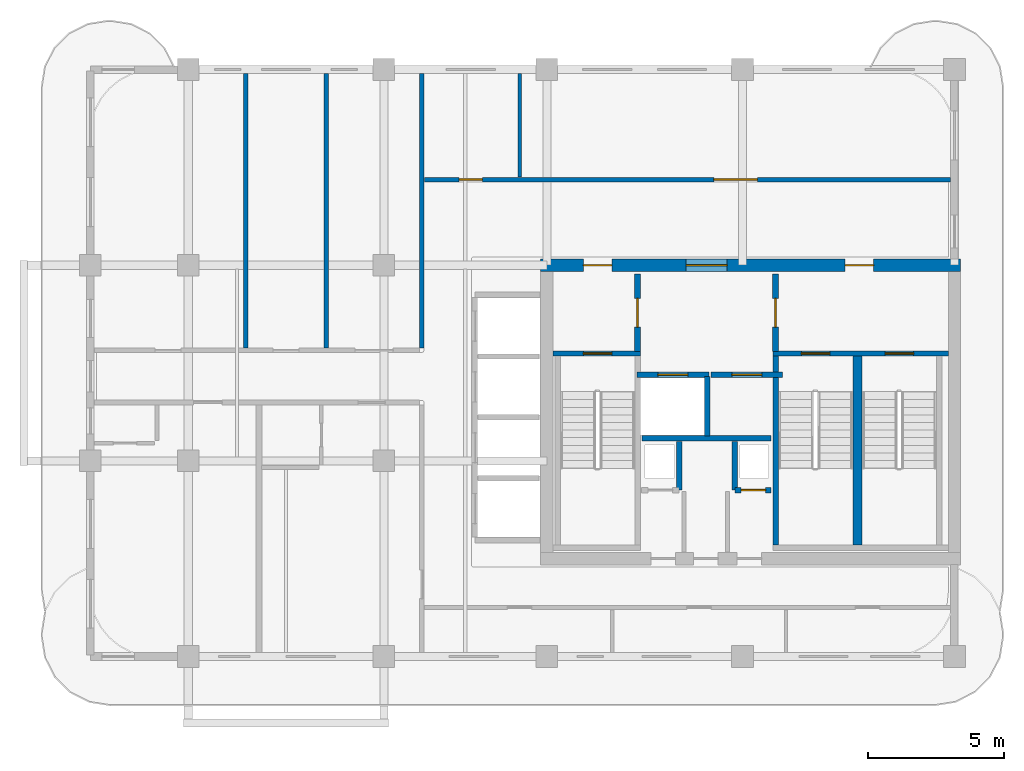
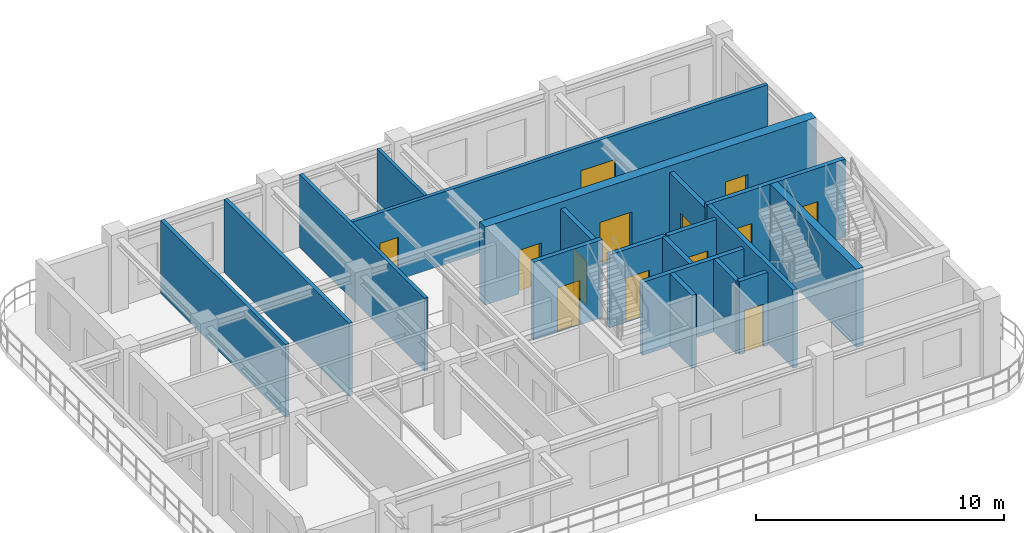
# One storey, part 4 of 7: 19 walls, 13 doors, 13 openings.
"""IFC4 building model written with IfcOpenShell, lengths in metres."""

from ifc_helpers import new_model, si_unit, derived_unit, direction, frame, frame_2d, origin, place, context, subcontext, project, spatial, rectangle, extrude, source, transform, mapped, material, layer, layer_set, type_object, type_shapes, element, fill, save


model = new_model("IFC4")

# Units and contexts
model_context = context("Model", 3, precision=1e-05, world=origin(), true_north=direction((0.0, 1.0)))
body_context = subcontext(model_context, "Body", "Model", "MODEL_VIEW")
ifc_project = project(units=[si_unit("LENGTHUNIT", "METRE"), si_unit("AREAUNIT", "SQUARE_METRE"), si_unit("VOLUMEUNIT", "CUBIC_METRE"), si_unit("PLANEANGLEUNIT", "RADIAN"), si_unit("MASSUNIT", "GRAM", prefix="KILO"), si_unit("THERMODYNAMICTEMPERATUREUNIT", "KELVIN"), si_unit("POWERUNIT", "WATT"), derived_unit("THERMALTRANSMITTANCEUNIT", [(si_unit("POWERUNIT", "WATT"), 1), (si_unit("AREAUNIT", "SQUARE_METRE"), -1), (si_unit("THERMODYNAMICTEMPERATUREUNIT", "KELVIN"), -1)])], contexts=[model_context])

# Site, building, storey
site_placement = place(None, origin())
site = spatial("IfcSite", under=ifc_project, at=site_placement, CompositionType="ELEMENT")
building_placement = place(site_placement, origin())
building = spatial("IfcBuilding", under=site, at=building_placement, Name="Zahravan Archway Hotel and Residences", CompositionType="ELEMENT")
storey_placement = place(building_placement, frame((0.0, 0.0, 267.35009765625)))
storey = spatial("IfcBuildingStorey", under=building, at=storey_placement, Name="L67", CompositionType="ELEMENT", Elevation=267.35009765625)

# Wall, openings, doors
ifc_material_1 = material(Name="Concrete C50/60", Category="concrete")
ifc_layer_1 = layer(ifc_material_1, 0.449951171875, Name="Concrete C50/60", Category="concrete")
ifc_layer_set_1 = layer_set([ifc_layer_1], Name="Concrete C50/60")
wall_type_1 = type_object("IfcWallType", Name="CW-CORE-450", PredefinedType="SHEAR", material=ifc_layer_set_1)
wall_1_placement = place(storey_placement, frame((34.574951171875, 14.39990234375, 0.0), z_axis=(0.0, 0.0, 1.0), x_axis=(1.0, 0.0, 0.0)))
wall_1 = element("IfcWall", 1, at=wall_1_placement, inside=storey, type_object=wall_type_1, Name="L67 Core A Shear N Wall 450 mm", PredefinedType="SHEAR", context=body_context, shape_type="SweptSolid", body=[
    extrude(rectangle(XDim=15.449951171875, YDim=0.449951171875, at=frame_2d((7.72509765625, 0.0))), origin(), (0.0, 0.0, 1.0), 3.849853515625),
])
opening_1_placement = place(wall_1_placement, frame((5.35498046875, 0.0, 0.0)))
opening_1 = element("IfcOpeningElement", 2, at=opening_1_placement, cuts=wall_1, Name="Opening FD-L1", PredefinedType="OPENING", context=body_context, shape_type="SweptSolid", body=[
    extrude(rectangle(XDim=1.5, YDim=2.199951171875, at=frame_2d((0.75, 1.10009765625))), frame((0.0, 0.23486328125, 0.0), z_axis=(0.0, -1.0, 0.0), x_axis=(1.0, 0.0, 0.0)), (0.0, 0.0, 1.0), 0.469970703125),
])
opening_2_placement = place(wall_1_placement, frame((1.570068359375, 0.0, 0.0)))
opening_2 = element("IfcOpeningElement", 3, at=opening_2_placement, cuts=wall_1, Name="Opening FD-L2", PredefinedType="OPENING", context=body_context, shape_type="SweptSolid", body=[
    extrude(rectangle(XDim=1.050048828125, YDim=2.14990234375, at=frame_2d((0.52490234375, 1.074951171875))), frame((0.0, 0.23486328125, 0.0), z_axis=(0.0, -1.0, 0.0), x_axis=(1.0, 0.0, 0.0)), (0.0, 0.0, 1.0), 0.469970703125),
])
opening_3_placement = place(wall_1_placement, frame((11.199951171875, 0.0, 0.0)))
opening_3 = element("IfcOpeningElement", 4, at=opening_3_placement, cuts=wall_1, Name="Opening FD-L2", PredefinedType="OPENING", context=body_context, shape_type="SweptSolid", body=[
    extrude(rectangle(XDim=1.050048828125, YDim=2.14990234375, at=frame_2d((0.52490234375, 1.074951171875))), frame((0.0, 0.23486328125, 0.0), z_axis=(0.0, -1.0, 0.0), x_axis=(1.0, 0.0, 0.0)), (0.0, 0.0, 1.0), 0.469970703125),
])
ifc_material_2 = material(Name="Fire-Rated Painted Steel", Category="steel")
door_type_1 = type_object("IfcDoorType", Name="FD-LOBBY-1100", OperationType="NOTDEFINED", PredefinedType="DOOR", material=ifc_material_2)
shared_shape_1 = source(origin(), body_context, "Body", "SweptSolid", [
    extrude(rectangle(XDim=1.050048828125, YDim=2.14990234375, at=frame_2d((0.52490234375, 1.074951171875))), frame((0.0, 0.02490234375, 0.0), z_axis=(0.0, -1.0, 0.0), x_axis=(1.0, 0.0, 0.0)), (0.0, 0.0, 1.0), 0.050048828125),
])
type_shapes(door_type_1, [shared_shape_1])
door_1_placement = place(opening_2_placement, origin())
door_1 = element("IfcDoor", 5, at=door_1_placement, inside=storey, type_object=door_type_1, Name="L67 Core A West Stair Lobby Door", OperationType="SINGLE_SWING_RIGHT", OverallHeight=2.14990234375, OverallWidth=1.050048828125, PredefinedType="DOOR", context=body_context, shape_type="MappedRepresentation", body=[
    mapped(shared_shape_1, transform((0.0, 0.0, 0.0), scale=1.0)),
])
fill(opening_2, door_1)
door_2_placement = place(opening_3_placement, origin())
door_2 = element("IfcDoor", 6, at=door_2_placement, inside=storey, type_object=door_type_1, Name="L67 Core A East Stair Lobby Door", OperationType="SINGLE_SWING_LEFT", OverallHeight=2.14990234375, OverallWidth=1.050048828125, PredefinedType="DOOR", context=body_context, shape_type="MappedRepresentation", body=[
    mapped(shared_shape_1, transform((0.0, 0.0, 0.0), scale=1.0)),
])
fill(opening_3, door_2)
door_type_2 = type_object("IfcDoorType", Name="FD-LOBBY-1500", OperationType="DOUBLE_DOOR_SINGLE_SWING", PredefinedType="DOOR", material=ifc_material_2)
shared_shape_2 = source(origin(), body_context, "Body", "SweptSolid", [
    extrude(rectangle(XDim=1.5, YDim=2.199951171875, at=frame_2d((0.75, 1.10009765625))), frame((0.0, 0.02490234375, 0.0), z_axis=(0.0, -1.0, 0.0), x_axis=(1.0, 0.0, 0.0)), (0.0, 0.0, 1.0), 0.050048828125),
])
type_shapes(door_type_2, [shared_shape_2])
door_3_placement = place(opening_1_placement, origin())
door_3 = element("IfcDoor", 7, at=door_3_placement, inside=storey, type_object=door_type_2, Name="L67 Core A FSAE Lobby Main Door", OperationType="DOUBLE_DOOR_SINGLE_SWING", OverallHeight=2.199951171875, OverallWidth=1.5, PredefinedType="DOOR", context=body_context, shape_type="MappedRepresentation", body=[
    mapped(shared_shape_2, transform((0.0, 0.0, 0.0), scale=1.0)),
])
fill(opening_1, door_3)

# Wall, opening, door
ifc_material_3 = material(Name="Fire-Rated Gypsum & Concrete Block", Category="concrete")
ifc_layer_2 = layer(ifc_material_3, 0.219970703125, Name="Fire-Rated Gypsum & Concrete Block", Category="concrete")
ifc_layer_set_2 = layer_set([ifc_layer_2], Name="Fire-Rated Gypsum & Concrete Block")
wall_type_2 = type_object("IfcWallType", Name="PW-COMP-220", PredefinedType="PARTITIONING", material=ifc_layer_set_2)
wall_2_placement = place(storey_placement, frame((38.139892578125, 11.219970703125, 0.0), z_axis=(0.0, 0.0, 1.0), x_axis=(0.0, 1.0, 0.0)))
wall_2 = element("IfcWall", 8, at=wall_2_placement, inside=storey, type_object=wall_type_2, Name="L67 Partition CA-LOBW", PredefinedType="PARTITIONING", context=body_context, shape_type="SweptSolid", body=[
    extrude(rectangle(XDim=2.860107421875, YDim=0.219970703125, at=frame_2d((1.43017578125, 0.0))), origin(), (0.0, 0.0, 1.0), 3.599853515625),
])
opening_4_placement = place(wall_2_placement, frame((0.905029296875, 0.0, 0.0)))
opening_4 = element("IfcOpeningElement", 9, at=opening_4_placement, cuts=wall_2, Name="Opening FD-L2", PredefinedType="OPENING", context=body_context, shape_type="SweptSolid", body=[
    extrude(rectangle(XDim=1.050048828125, YDim=2.14990234375, at=frame_2d((0.52490234375, 1.074951171875))), frame((0.0, 0.1201171875, 0.0), z_axis=(0.0, -1.0, 0.0), x_axis=(1.0, 0.0, 0.0)), (0.0, 0.0, 1.0), 0.239990234375),
])
door_4_placement = place(opening_4_placement, origin())
door_4 = element("IfcDoor", 10, at=door_4_placement, inside=storey, type_object=door_type_1, Name="L67 Core A West Stair to FSAE Lobby Door", OperationType="SINGLE_SWING_RIGHT", OverallHeight=2.14990234375, OverallWidth=1.050048828125, PredefinedType="DOOR", context=body_context, shape_type="MappedRepresentation", body=[
    mapped(shared_shape_1, transform((0.0, 0.0, 0.0), scale=1.0)),
])
fill(opening_4, door_4)

wall_3_placement = place(storey_placement, frame((43.219970703125, 11.219970703125, 0.0), z_axis=(0.0, 0.0, 1.0), x_axis=(0.0, 1.0, 0.0)))
wall_3 = element("IfcWall", 11, at=wall_3_placement, inside=storey, type_object=wall_type_2, Name="L67 Partition CA-LOBE", PredefinedType="PARTITIONING", context=body_context, shape_type="SweptSolid", body=[
    extrude(rectangle(XDim=2.860107421875, YDim=0.219970703125, at=frame_2d((1.43017578125, 0.0))), origin(), (0.0, 0.0, 1.0), 3.599853515625),
])
opening_5_placement = place(wall_3_placement, frame((0.905029296875, 0.0, 0.0)))
opening_5 = element("IfcOpeningElement", 12, at=opening_5_placement, cuts=wall_3, Name="Opening FD-L2", PredefinedType="OPENING", context=body_context, shape_type="SweptSolid", body=[
    extrude(rectangle(XDim=1.050048828125, YDim=2.14990234375, at=frame_2d((0.52490234375, 1.074951171875))), frame((0.0, 0.1201171875, 0.0), z_axis=(0.0, -1.0, 0.0), x_axis=(1.0, 0.0, 0.0)), (0.0, 0.0, 1.0), 0.239990234375),
])
door_5_placement = place(opening_5_placement, origin())
door_5 = element("IfcDoor", 13, at=door_5_placement, inside=storey, type_object=door_type_1, Name="L67 Core A East Stair to FSAE Lobby Door", OperationType="SINGLE_SWING_LEFT", OverallHeight=2.14990234375, OverallWidth=1.050048828125, PredefinedType="DOOR", context=body_context, shape_type="MappedRepresentation", body=[
    mapped(shared_shape_1, transform((0.0, 0.0, 0.0), scale=1.0)),
])
fill(opening_5, door_5)

# Wall
ifc_layer_3 = layer(ifc_material_3, 0.159912109375, Name="Fire-Rated Gypsum & Concrete Block", Category="concrete")
ifc_layer_set_3 = layer_set([ifc_layer_3], Name="Fire-Rated Gypsum & Concrete Block")
wall_type_3 = type_object("IfcWallType", Name="PW-CORR-160", PredefinedType="PARTITIONING", material=ifc_layer_set_3)
wall_4_placement = place(storey_placement, frame((30.199951171875, 11.360107421875, 0.0), z_axis=(0.0, 0.0, 1.0), x_axis=(0.0, 1.0, 0.0)))
element("IfcWall", 14, at=wall_4_placement, inside=storey, type_object=wall_type_3, Name="L67 Partition WA-FW", PredefinedType="PARTITIONING", context=body_context, shape_type="SweptSolid", body=[
    extrude(rectangle(XDim=10.099853515625, YDim=0.159912109375, at=frame_2d((5.0498046875, 0.0))), origin(), (0.0, 0.0, 1.0), 3.599853515625),
])

# Wall, openings, doors
wall_5_placement = place(storey_placement, frame((30.2900390625, 17.550048828125, 0.0), z_axis=(0.0, 0.0, 1.0), x_axis=(1.0, 0.0, 0.0)))
wall_5 = element("IfcWall", 15, at=wall_5_placement, inside=storey, type_object=wall_type_3, Name="L67 Partition WA-FN", PredefinedType="PARTITIONING", context=body_context, shape_type="SweptSolid", body=[
    extrude(rectangle(XDim=19.369873046875, YDim=0.159912109375, at=frame_2d((9.68505859375, 0.0))), origin(), (0.0, 0.0, 1.0), 3.599853515625),
])
opening_6_placement = place(wall_5_placement, frame((1.284912109375, 0.0, 0.0)))
opening_6 = element("IfcOpeningElement", 16, at=opening_6_placement, cuts=wall_5, Name="Opening D-B1", PredefinedType="OPENING", context=body_context, shape_type="SweptSolid", body=[
    extrude(rectangle(XDim=0.85009765625, YDim=2.10009765625, at=frame_2d((0.425048828125, 1.050048828125))), frame((0.0, 0.08984375, 0.0), z_axis=(0.0, -1.0, 0.0), x_axis=(1.0, 0.0, 0.0)), (0.0, 0.0, 1.0), 0.179931640625),
])
opening_7_placement = place(wall_5_placement, frame((10.659912109375, 0.0, 0.0)))
opening_7 = element("IfcOpeningElement", 17, at=opening_7_placement, cuts=wall_5, Name="Opening D-P2", PredefinedType="OPENING", context=body_context, shape_type="SweptSolid", body=[
    extrude(rectangle(XDim=1.60009765625, YDim=2.39990234375, at=frame_2d((0.800048828125, 1.199951171875))), frame((0.0, 0.08984375, 0.0), z_axis=(0.0, -1.0, 0.0), x_axis=(1.0, 0.0, 0.0)), (0.0, 0.0, 1.0), 0.179931640625),
])
ifc_material_4 = material(Name="Bronze-Anodized Glazed Aluminium", Category="aluminium")
door_type_3 = type_object("IfcDoorType", Name="ID-PUBLIC-1600", OperationType="DOUBLE_DOOR_SINGLE_SWING", PredefinedType="DOOR", material=ifc_material_4)
shared_shape_3 = source(origin(), body_context, "Body", "SweptSolid", [
    extrude(rectangle(XDim=1.60009765625, YDim=2.39990234375, at=frame_2d((0.800048828125, 1.199951171875))), frame((0.0, 0.02490234375, 0.0), z_axis=(0.0, -1.0, 0.0), x_axis=(1.0, 0.0, 0.0)), (0.0, 0.0, 1.0), 0.050048828125),
])
type_shapes(door_type_3, [shared_shape_3])
door_6_placement = place(opening_7_placement, origin())
door_6 = element("IfcDoor", 18, at=door_6_placement, inside=storey, type_object=door_type_3, Name="L67 North Fitness Gym Door", OperationType="DOUBLE_DOOR_SINGLE_SWING", OverallHeight=2.39990234375, OverallWidth=1.60009765625, PredefinedType="DOOR", context=body_context, shape_type="MappedRepresentation", body=[
    mapped(shared_shape_3, transform((0.0, 0.0, 0.0), scale=1.0)),
])
fill(opening_7, door_6)
ifc_material_5 = material(Name="Hardwood Veneer Timber", Category="wood")
door_type_4 = type_object("IfcDoorType", Name="ID-BATH-850", OperationType="NOTDEFINED", PredefinedType="DOOR", material=ifc_material_5)
shared_shape_4 = source(origin(), body_context, "Body", "SweptSolid", [
    extrude(rectangle(XDim=0.85009765625, YDim=2.10009765625, at=frame_2d((0.425048828125, 1.050048828125))), frame((0.0, 0.02490234375, 0.0), z_axis=(0.0, -1.0, 0.0), x_axis=(1.0, 0.0, 0.0)), (0.0, 0.0, 1.0), 0.050048828125),
])
type_shapes(door_type_4, [shared_shape_4])
door_7_placement = place(opening_6_placement, origin())
door_7 = element("IfcDoor", 19, at=door_7_placement, inside=storey, type_object=door_type_4, Name="L67 Accessible Restroom Door", OperationType="SINGLE_SWING_LEFT", OverallHeight=2.10009765625, OverallWidth=0.85009765625, PredefinedType="DOOR", context=body_context, shape_type="MappedRepresentation", body=[
    mapped(shared_shape_4, transform((0.0, 0.0, 0.0), scale=1.0)),
])
fill(opening_6, door_7)

# Walls
ifc_layer_4 = layer(ifc_material_3, 0.199951171875, Name="Fire-Rated Gypsum & Concrete Block", Category="concrete")
ifc_layer_set_4 = layer_set([ifc_layer_4], Name="Fire-Rated Gypsum & Concrete Block")
wall_type_4 = type_object("IfcWallType", Name="PW-SHAFT-200", PredefinedType="PARTITIONING", material=ifc_layer_set_4)
wall_6_placement = place(storey_placement, frame((38.300048828125, 8.030029296875, 0.0), z_axis=(0.0, 0.0, 1.0), x_axis=(1.0, 0.0, 0.0)))
element("IfcWall", 20, at=wall_6_placement, inside=storey, type_object=wall_type_4, Name="L67 Partition CA-FLS", PredefinedType="PARTITIONING", context=body_context, shape_type="SweptSolid", body=[
    extrude(rectangle(XDim=4.739990234375, YDim=0.199951171875, at=frame_2d((2.3701171875, 0.0))), origin(), (0.0, 0.0, 1.0), 3.599853515625),
])
wall_7_placement = place(storey_placement, frame((40.699951171875, 8.1201171875, 0.0), z_axis=(0.0, 0.0, 1.0), x_axis=(0.0, 1.0, 0.0)))
element("IfcWall", 21, at=wall_7_placement, inside=storey, type_object=wall_type_4, Name="L67 Partition CA-FLM", PredefinedType="PARTITIONING", context=body_context, shape_type="SweptSolid", body=[
    extrude(rectangle(XDim=2.179931640625, YDim=0.199951171875, at=frame_2d((1.08984375, 0.0))), origin(), (0.0, 0.0, 1.0), 3.599853515625),
])
wall_8_placement = place(storey_placement, frame((39.679931640625, 6.1298828125, 0.0), z_axis=(0.0, 0.0, 1.0), x_axis=(0.0, 1.0, 0.0)))
element("IfcWall", 22, at=wall_8_placement, inside=storey, type_object=wall_type_4, Name="L67 Partition CA-SMKE", PredefinedType="PARTITIONING", context=body_context, shape_type="SweptSolid", body=[
    extrude(rectangle(XDim=1.7900390625, YDim=0.199951171875, at=frame_2d((0.89501953125, 0.0))), origin(), (0.0, 0.0, 1.0), 3.599853515625),
])

# Wall, opening, door
wall_9_placement = place(storey_placement, frame((41.72998046875, 6.1201171875, 0.0), z_axis=(0.0, 0.0, 1.0), x_axis=(1.0, 0.0, 0.0)))
wall_9 = element("IfcWall", 23, at=wall_9_placement, inside=storey, type_object=wall_type_4, Name="L67 Partition CA-MEPS", PredefinedType="PARTITIONING", context=body_context, shape_type="SweptSolid", body=[
    extrude(rectangle(XDim=1.320068359375, YDim=0.199951171875, at=frame_2d((0.66015625, 0.0))), origin(), (0.0, 0.0, 1.0), 3.599853515625),
])
opening_8_placement = place(wall_9_placement, frame((0.219970703125, 0.0, 0.0)))
opening_8 = element("IfcOpeningElement", 24, at=opening_8_placement, cuts=wall_9, Name="Opening FD-R1", PredefinedType="OPENING", context=body_context, shape_type="SweptSolid", body=[
    extrude(rectangle(XDim=0.89990234375, YDim=2.10009765625, at=frame_2d((0.449951171875, 1.050048828125))), frame((0.0, 0.10986328125, 0.0), z_axis=(0.0, -1.0, 0.0), x_axis=(1.0, 0.0, 0.0)), (0.0, 0.0, 1.0), 0.219970703125),
])
door_type_5 = type_object("IfcDoorType", Name="FD-RISER-900", OperationType="NOTDEFINED", PredefinedType="DOOR", material=ifc_material_2)
shared_shape_5 = source(origin(), body_context, "Body", "SweptSolid", [
    extrude(rectangle(XDim=0.89990234375, YDim=2.10009765625, at=frame_2d((0.449951171875, 1.050048828125))), frame((0.0, 0.02490234375, 0.0), z_axis=(0.0, -1.0, 0.0), x_axis=(1.0, 0.0, 0.0)), (0.0, 0.0, 1.0), 0.050048828125),
])
type_shapes(door_type_5, [shared_shape_5])
door_8_placement = place(opening_8_placement, origin())
door_8 = element("IfcDoor", 25, at=door_8_placement, inside=storey, type_object=door_type_5, Name="L67 MEP Riser Access Door", OperationType="SINGLE_SWING_LEFT", OverallHeight=2.10009765625, OverallWidth=0.89990234375, PredefinedType="DOOR", context=body_context, shape_type="MappedRepresentation", body=[
    mapped(shared_shape_5, transform((0.0, 0.0, 0.0), scale=1.0)),
])
fill(opening_8, door_8)

# Wall
wall_10_placement = place(storey_placement, frame((41.719970703125, 6.1298828125, 0.0), z_axis=(0.0, 0.0, 1.0), x_axis=(0.0, 1.0, 0.0)))
element("IfcWall", 26, at=wall_10_placement, inside=storey, type_object=wall_type_4, Name="L67 Partition CA-MEPW", PredefinedType="PARTITIONING", context=body_context, shape_type="SweptSolid", body=[
    extrude(rectangle(XDim=1.7900390625, YDim=0.199951171875, at=frame_2d((0.89501953125, 0.0))), origin(), (0.0, 0.0, 1.0), 3.599853515625),
])

# Wall, opening, door
wall_11_placement = place(storey_placement, frame((38.1201171875, 10.3701171875, 0.0), z_axis=(0.0, 0.0, 1.0), x_axis=(1.0, 0.0, 0.0)))
wall_11 = element("IfcWall", 27, at=wall_11_placement, inside=storey, type_object=wall_type_4, Name="L67 Lift FL-1 Front Wall", PredefinedType="PARTITIONING", context=body_context, shape_type="SweptSolid", body=[
    extrude(rectangle(XDim=2.639892578125, YDim=0.199951171875, at=frame_2d((1.31982421875, 0.0))), origin(), (0.0, 0.0, 1.0), 3.599853515625),
])
opening_9_placement = place(wall_11_placement, frame((0.77001953125, 0.0, 0.0)))
opening_9 = element("IfcOpeningElement", 28, at=opening_9_placement, cuts=wall_11, Name="Opening LD", PredefinedType="OPENING", context=body_context, shape_type="SweptSolid", body=[
    extrude(rectangle(XDim=1.10009765625, YDim=2.199951171875, at=frame_2d((0.550048828125, 1.10009765625))), frame((0.0, 0.10986328125, 0.0), z_axis=(0.0, -1.0, 0.0), x_axis=(1.0, 0.0, 0.0)), (0.0, 0.0, 1.0), 0.219970703125),
])
ifc_material_6 = material(Name="Brushed Stainless Steel", Category="steel")
door_type_6 = type_object("IfcDoorType", Name="DR-LIFT-LD", OperationType="SLIDING_TO_LEFT", PredefinedType="DOOR", material=ifc_material_6)
shared_shape_6 = source(origin(), body_context, "Body", "SweptSolid", [
    extrude(rectangle(XDim=1.10009765625, YDim=2.199951171875, at=frame_2d((0.550048828125, 1.10009765625))), frame((0.0, 0.02490234375, 0.0), z_axis=(0.0, -1.0, 0.0), x_axis=(1.0, 0.0, 0.0)), (0.0, 0.0, 1.0), 0.050048828125),
])
type_shapes(door_type_6, [shared_shape_6])
door_9_placement = place(opening_9_placement, origin())
door_9 = element("IfcDoor", 29, at=door_9_placement, inside=storey, type_object=door_type_6, Name="L67 Lift FL-1 Sliding Landing Door", OperationType="SLIDING_TO_LEFT", OverallHeight=2.199951171875, OverallWidth=1.10009765625, PredefinedType="DOOR", context=body_context, shape_type="MappedRepresentation", body=[
    mapped(shared_shape_6, transform((0.0, 0.0, 0.0), scale=1.0)),
])
fill(opening_9, door_9)

wall_12_placement = place(storey_placement, frame((40.840087890625, 10.3701171875, 0.0), z_axis=(0.0, 0.0, 1.0), x_axis=(1.0, 0.0, 0.0)))
wall_12 = element("IfcWall", 30, at=wall_12_placement, inside=storey, type_object=wall_type_4, Name="L67 Lift FL-2 Front Wall", PredefinedType="PARTITIONING", context=body_context, shape_type="SweptSolid", body=[
    extrude(rectangle(XDim=2.639892578125, YDim=0.199951171875, at=frame_2d((1.31982421875, 0.0))), origin(), (0.0, 0.0, 1.0), 3.599853515625),
])
opening_10_placement = place(wall_12_placement, frame((0.77001953125, 0.0, 0.0)))
opening_10 = element("IfcOpeningElement", 31, at=opening_10_placement, cuts=wall_12, Name="Opening LD", PredefinedType="OPENING", context=body_context, shape_type="SweptSolid", body=[
    extrude(rectangle(XDim=1.10009765625, YDim=2.199951171875, at=frame_2d((0.550048828125, 1.10009765625))), frame((0.0, 0.10986328125, 0.0), z_axis=(0.0, -1.0, 0.0), x_axis=(1.0, 0.0, 0.0)), (0.0, 0.0, 1.0), 0.219970703125),
])
door_10_placement = place(opening_10_placement, origin())
door_10 = element("IfcDoor", 32, at=door_10_placement, inside=storey, type_object=door_type_6, Name="L67 Lift FL-2 Sliding Landing Door", OperationType="SLIDING_TO_LEFT", OverallHeight=2.199951171875, OverallWidth=1.10009765625, PredefinedType="DOOR", context=body_context, shape_type="MappedRepresentation", body=[
    mapped(shared_shape_6, transform((0.0, 0.0, 0.0), scale=1.0)),
])
fill(opening_10, door_10)

# Walls
ifc_material_7 = material(Name="Acoustic Stud Partition")
ifc_layer_5 = layer(ifc_material_7, 0.169921875, Name="Acoustic Stud Partition")
ifc_layer_set_5 = layer_set([ifc_layer_5], Name="Acoustic Stud Partition")
wall_type_5 = type_object("IfcWallType", Name="PW-UNIT-170", PredefinedType="PARTITIONING", material=ifc_layer_set_5)
for number, where, z_axis, x_axis, name in (
    (33, (23.719970703125, 11.360107421875, 0.0), (0.0, 0.0, 1.0), (0.0, 1.0, 0.0), "L67 Partition WAN-SBK2A"),
    (34, (26.679931640625, 11.360107421875, 0.0), (0.0, 0.0, 1.0), (0.0, 1.0, 0.0), "L67 Partition WAN-SBK2B"),
):
    element("IfcWall", number, at=place(storey_placement, frame(where, z_axis=z_axis, x_axis=x_axis)), inside=storey, type_object=wall_type_5, Name=name, PredefinedType="PARTITIONING", context=body_context, shape_type="SweptSolid", body=[
        extrude(rectangle(XDim=10.091796875, YDim=0.169921875, at=frame_2d((5.0458984375, 0.0))), origin(), (0.0, 0.0, 1.0), 3.599853515625),
    ])
ifc_material_8 = material(Name="Moisture-Resistant Blockwork", Category="masonry")
ifc_layer_6 = layer(ifc_material_8, 0.139892578125, Name="Moisture-Resistant Blockwork", Category="masonry")
ifc_layer_set_6 = layer_set([ifc_layer_6], Name="Moisture-Resistant Blockwork")
wall_type_6 = type_object("IfcWallType", Name="PW-WET-140", PredefinedType="PARTITIONING", material=ifc_layer_set_6)
wall_13_placement = place(storey_placement, frame((33.800048828125, 17.639892578125, 0.0), z_axis=(0.0, 0.0, 1.0), x_axis=(0.0, 1.0, 0.0)))
element("IfcWall", 35, at=wall_13_placement, inside=storey, type_object=wall_type_6, Name="L67 Partition NE1-1", PredefinedType="PARTITIONING", context=body_context, shape_type="SweptSolid", body=[
    extrude(rectangle(XDim=3.81201171875, YDim=0.139892578125, at=frame_2d((1.906005859375, 0.0))), origin(), (0.0, 0.0, 1.0), 3.599853515625),
])

# Wall, opening, door
ifc_layer_7 = layer(ifc_material_1, 0.199951171875, Name="Concrete C50/60", Category="concrete")
ifc_layer_set_7 = layer_set([ifc_layer_7], Name="Concrete C50/60")
wall_type_7 = type_object("IfcWallType", Name="SW-STAIR-200", PredefinedType="SHEAR", material=ifc_layer_set_7)
wall_14_placement = place(storey_placement, frame((35.02490234375, 11.14990234375, 0.0), z_axis=(0.0, 0.0, 1.0), x_axis=(1.0, 0.0, 0.0)))
wall_14 = element("IfcWall", 36, at=wall_14_placement, inside=storey, type_object=wall_type_7, Name="L67 Stairwell RC Wall CA-SA1N", PredefinedType="SHEAR", context=body_context, shape_type="SweptSolid", body=[
    extrude(rectangle(XDim=3.215087890625, YDim=0.199951171875, at=frame_2d((1.607421875, 0.0))), origin(), (0.0, 0.0, 1.0), 3.849853515625),
])
opening_11_placement = place(wall_14_placement, frame((1.1201171875, 0.0, 0.0)))
opening_11 = element("IfcOpeningElement", 37, at=opening_11_placement, cuts=wall_14, Name="Opening FD-S1", PredefinedType="OPENING", context=body_context, shape_type="SweptSolid", body=[
    extrude(rectangle(XDim=1.050048828125, YDim=2.199951171875, at=frame_2d((0.52490234375, 1.10009765625))), frame((0.0, 0.10986328125, 0.0), z_axis=(0.0, -1.0, 0.0), x_axis=(1.0, 0.0, 0.0)), (0.0, 0.0, 1.0), 0.219970703125),
])
door_type_7 = type_object("IfcDoorType", Name="FD-STAIR-1100", OperationType="NOTDEFINED", PredefinedType="DOOR", material=ifc_material_2)
shared_shape_7 = source(origin(), body_context, "Body", "SweptSolid", [
    extrude(rectangle(XDim=1.050048828125, YDim=2.199951171875, at=frame_2d((0.52490234375, 1.10009765625))), frame((0.0, 0.02490234375, 0.0), z_axis=(0.0, -1.0, 0.0), x_axis=(1.0, 0.0, 0.0)), (0.0, 0.0, 1.0), 0.050048828125),
])
type_shapes(door_type_7, [shared_shape_7])
door_11_placement = place(opening_11_placement, origin())
door_11 = element("IfcDoor", 38, at=door_11_placement, inside=storey, type_object=door_type_7, Name="L67 Stair ST-A1 Door", OperationType="SINGLE_SWING_LEFT", OverallHeight=2.199951171875, OverallWidth=1.050048828125, PredefinedType="DOOR", context=body_context, shape_type="MappedRepresentation", body=[
    mapped(shared_shape_7, transform((0.0, 0.0, 0.0), scale=1.0)),
])
fill(opening_11, door_11)

# Wall
wall_15_placement = place(storey_placement, frame((43.219970703125, 4.10009765625, 0.0), z_axis=(0.0, 0.0, 1.0), x_axis=(0.0, 1.0, 0.0)))
element("IfcWall", 39, at=wall_15_placement, inside=storey, type_object=wall_type_7, Name="L67 Stairwell RC Wall CA-SA2W", PredefinedType="SHEAR", context=body_context, shape_type="SweptSolid", body=[
    extrude(rectangle(XDim=6.949951171875, YDim=0.199951171875, at=frame_2d((3.47509765625, 0.0))), origin(), (0.0, 0.0, 1.0), 3.849853515625),
])

# Wall, openings, doors
wall_16_placement = place(storey_placement, frame((43.1201171875, 11.14990234375, 0.0), z_axis=(0.0, 0.0, 1.0), x_axis=(1.0, 0.0, 0.0)))
wall_16 = element("IfcWall", 40, at=wall_16_placement, inside=storey, type_object=wall_type_7, Name="L67 Stairwell RC Wall CA-SA23N", PredefinedType="SHEAR", context=body_context, shape_type="SweptSolid", body=[
    extrude(rectangle(XDim=6.454833984375, YDim=0.199951171875, at=frame_2d((3.2275390625, 0.0))), origin(), (0.0, 0.0, 1.0), 3.849853515625),
])
opening_12_placement = place(wall_16_placement, frame((1.044921875, 0.0, 0.0)))
opening_12 = element("IfcOpeningElement", 41, at=opening_12_placement, cuts=wall_16, Name="Opening FD-S1", PredefinedType="OPENING", context=body_context, shape_type="SweptSolid", body=[
    extrude(rectangle(XDim=1.050048828125, YDim=2.199951171875, at=frame_2d((0.52490234375, 1.10009765625))), frame((0.0, 0.10986328125, 0.0), z_axis=(0.0, -1.0, 0.0), x_axis=(1.0, 0.0, 0.0)), (0.0, 0.0, 1.0), 0.219970703125),
])
opening_13_placement = place(wall_16_placement, frame((4.125, 0.0, 0.0)))
opening_13 = element("IfcOpeningElement", 42, at=opening_13_placement, cuts=wall_16, Name="Opening FD-S1", PredefinedType="OPENING", context=body_context, shape_type="SweptSolid", body=[
    extrude(rectangle(XDim=1.050048828125, YDim=2.199951171875, at=frame_2d((0.52490234375, 1.10009765625))), frame((0.0, 0.10986328125, 0.0), z_axis=(0.0, -1.0, 0.0), x_axis=(1.0, 0.0, 0.0)), (0.0, 0.0, 1.0), 0.219970703125),
])
door_12_placement = place(opening_12_placement, origin())
door_12 = element("IfcDoor", 43, at=door_12_placement, inside=storey, type_object=door_type_7, Name="L67 Stair ST-A2 Door", OperationType="SINGLE_SWING_RIGHT", OverallHeight=2.199951171875, OverallWidth=1.050048828125, PredefinedType="DOOR", context=body_context, shape_type="MappedRepresentation", body=[
    mapped(shared_shape_7, transform((0.0, 0.0, 0.0), scale=1.0)),
])
fill(opening_12, door_12)
door_13_placement = place(opening_13_placement, origin())
door_13 = element("IfcDoor", 44, at=door_13_placement, inside=storey, type_object=door_type_7, Name="L67 Stair ST-A3 Door", OperationType="SINGLE_SWING_LEFT", OverallHeight=2.199951171875, OverallWidth=1.050048828125, PredefinedType="DOOR", context=body_context, shape_type="MappedRepresentation", body=[
    mapped(shared_shape_7, transform((0.0, 0.0, 0.0), scale=1.0)),
])
fill(opening_13, door_13)

# Wall
ifc_layer_8 = layer(ifc_material_1, 0.340087890625, Name="Concrete C50/60", Category="concrete")
ifc_layer_set_8 = layer_set([ifc_layer_8], Name="Concrete C50/60")
wall_type_8 = type_object("IfcWallType", Name="SW-STAIR-340", PredefinedType="SHEAR", material=ifc_layer_set_8)
wall_17_placement = place(storey_placement, frame((46.22998046875, 4.10009765625, 0.0), z_axis=(0.0, 0.0, 1.0), x_axis=(0.0, 1.0, 0.0)))
element("IfcWall", 45, at=wall_17_placement, inside=storey, type_object=wall_type_8, Name="L67 Stairwell RC Wall CA-SA23M", PredefinedType="SHEAR", context=body_context, shape_type="SweptSolid", body=[
    extrude(rectangle(XDim=6.949951171875, YDim=0.340087890625, at=frame_2d((3.47509765625, 0.0))), origin(), (0.0, 0.0, 1.0), 3.849853515625),
])

save(model, "model.ifc")
